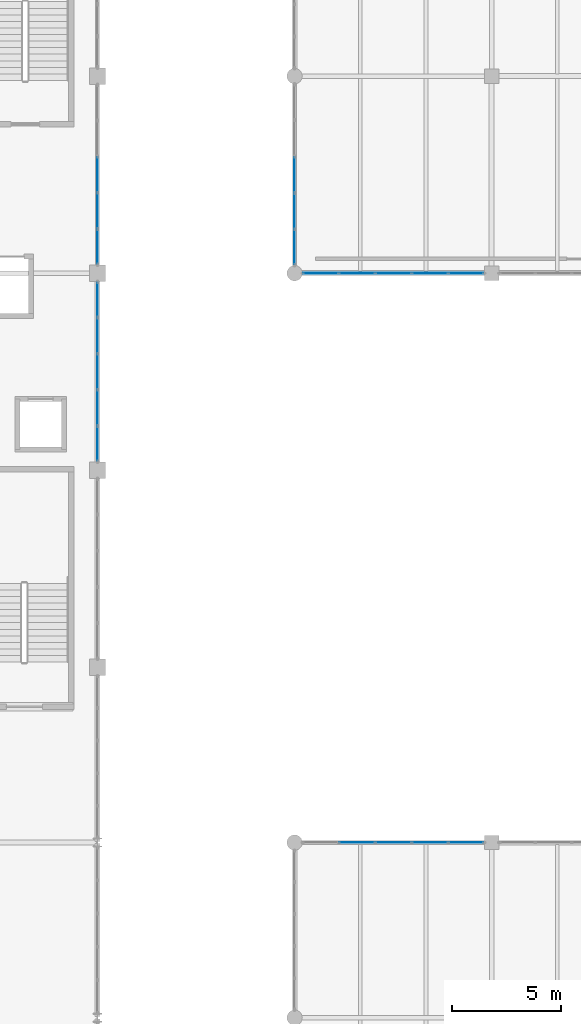
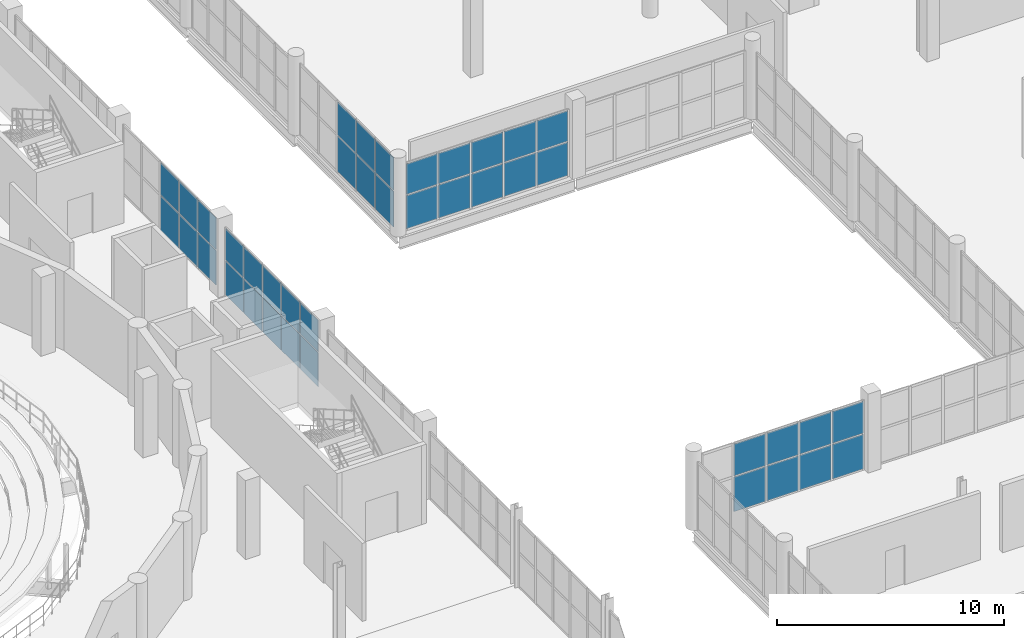
# One storey, part 54 of 85: 40 plates, 5 elements without a shape of their own.
"""IFC4 building model written with IfcOpenShell, lengths in metres."""

from ifc_helpers import new_model, si_unit, direction, frame, origin, origin_2d, place, context, subcontext, project, spatial, rectangle, extrude, material, layer, layer_set, type_object, element, aggregate, save


model = new_model("IFC4")

# Units and contexts
model_context = context("Model", 3, precision=1e-05, world=origin(), true_north=direction((0.0, 1.0)))
body_context = subcontext(model_context, "Body", "Model", "MODEL_VIEW")
ifc_project = project(units=[si_unit("LENGTHUNIT", "METRE"), si_unit("AREAUNIT", "SQUARE_METRE"), si_unit("VOLUMEUNIT", "CUBIC_METRE"), si_unit("PLANEANGLEUNIT", "RADIAN"), si_unit("MASSUNIT", "GRAM", prefix="KILO")], contexts=[model_context])

# Site, building, storey
site_placement = place(None, origin())
site = spatial("IfcSite", under=ifc_project, at=site_placement, CompositionType="ELEMENT")
building_placement = place(site_placement, origin())
building = spatial("IfcBuilding", under=site, at=building_placement, Name="Marnock Terrace Opera House", CompositionType="ELEMENT")
storey_placement = place(building_placement, frame((0.0, 0.0, 10.199951171875)))
storey = spatial("IfcBuildingStorey", under=building, at=storey_placement, Name="L02", CompositionType="ELEMENT", Elevation=10.199951171875)

# Curtain wall, plates
ifc_material_1 = material(Name="Anodised architectural bronze aluminium framing", Category="aluminium")
ifc_layer_1 = layer(ifc_material_1, 0.159912109375)
ifc_layer_set_1 = layer_set([ifc_layer_1], Name="Anodised architectural bronze aluminium framing")
curtain_wall_type_1 = type_object("IfcCurtainWallType", Name="CW-FOYER-90x42", PredefinedType="NOTDEFINED", material=ifc_layer_set_1)
curtain_wall_1_placement = place(storey_placement, origin())
curtain_wall_1 = element("IfcCurtainWall", 1, at=curtain_wall_1_placement, inside=storey, type_object=curtain_wall_type_1, Name="L02 glazed Beaux-Arts colonnade curtain wall CW-V1E-L02-07", PredefinedType="NOTDEFINED")
ifc_material_2 = material(Name="Double-glazed acoustic low-E laminated glass", Category="glass")
ifc_layer_2 = layer(ifc_material_2, 0.028076171875)
ifc_layer_set_2 = layer_set([ifc_layer_2], Name="Double-glazed acoustic low-E laminated glass")
plate_type_1 = type_object("IfcPlateType", Name="CWP-GLZ-28", PredefinedType="CURTAIN_PANEL", material=ifc_layer_set_2)
plate_1_placement = place(storey_placement, frame((109.0, 58.2119140625, 0.06005859375), z_axis=(0.0, 0.0, 1.0), x_axis=(0.0, 1.0, 0.0)))
plate_1 = element("IfcPlate", 2, at=plate_1_placement, type_object=plate_type_1, Name="CW-68 panel 1.1", PredefinedType="CURTAIN_PANEL", context=body_context, shape_type="SweptSolid", body=[
    extrude(rectangle(XDim=1.5615234375, YDim=0.028076171875, at=origin_2d()), origin(), (0.0, 0.0, 1.0), 1.82470703125),
])
plate_2_placement = place(storey_placement, frame((109.0, 58.2119140625, 1.94482421875), z_axis=(0.0, 0.0, 1.0), x_axis=(0.0, 1.0, 0.0)))
plate_2 = element("IfcPlate", 3, at=plate_2_placement, type_object=plate_type_1, Name="CW-68 panel 1.2", PredefinedType="CURTAIN_PANEL", context=body_context, shape_type="SweptSolid", body=[
    extrude(rectangle(XDim=1.5615234375, YDim=0.028076171875, at=origin_2d()), origin(), (0.0, 0.0, 1.0), 1.677490234375),
])
plate_3_placement = place(storey_placement, frame((109.0, 59.848388671875, 0.06005859375), z_axis=(0.0, 0.0, 1.0), x_axis=(0.0, 1.0, 0.0)))
plate_3 = element("IfcPlate", 4, at=plate_3_placement, type_object=plate_type_1, Name="CW-68 panel 2.1", PredefinedType="CURTAIN_PANEL", context=body_context, shape_type="SweptSolid", body=[
    extrude(rectangle(XDim=1.591552734375, YDim=0.028076171875, at=origin_2d()), origin(), (0.0, 0.0, 1.0), 1.82470703125),
])
plate_4_placement = place(storey_placement, frame((109.0, 59.848388671875, 1.94482421875), z_axis=(0.0, 0.0, 1.0), x_axis=(0.0, 1.0, 0.0)))
plate_4 = element("IfcPlate", 5, at=plate_4_placement, type_object=plate_type_1, Name="CW-68 panel 2.2", PredefinedType="CURTAIN_PANEL", context=body_context, shape_type="SweptSolid", body=[
    extrude(rectangle(XDim=1.591552734375, YDim=0.028076171875, at=origin_2d()), origin(), (0.0, 0.0, 1.0), 1.677490234375),
])
plate_5_placement = place(storey_placement, frame((109.0, 61.5, 0.06005859375), z_axis=(0.0, 0.0, 1.0), x_axis=(0.0, 1.0, 0.0)))
plate_5 = element("IfcPlate", 6, at=plate_5_placement, type_object=plate_type_1, Name="CW-68 panel 3.1", PredefinedType="CURTAIN_PANEL", context=body_context, shape_type="SweptSolid", body=[
    extrude(rectangle(XDim=1.591552734375, YDim=0.028076171875, at=origin_2d()), origin(), (0.0, 0.0, 1.0), 1.82470703125),
])
plate_6_placement = place(storey_placement, frame((109.0, 61.5, 1.94482421875), z_axis=(0.0, 0.0, 1.0), x_axis=(0.0, 1.0, 0.0)))
plate_6 = element("IfcPlate", 7, at=plate_6_placement, type_object=plate_type_1, Name="CW-68 panel 3.2", PredefinedType="CURTAIN_PANEL", context=body_context, shape_type="SweptSolid", body=[
    extrude(rectangle(XDim=1.591552734375, YDim=0.028076171875, at=origin_2d()), origin(), (0.0, 0.0, 1.0), 1.677490234375),
])
plate_7_placement = place(storey_placement, frame((109.0, 63.151611328125, 0.06005859375), z_axis=(0.0, 0.0, 1.0), x_axis=(0.0, 1.0, 0.0)))
plate_7 = element("IfcPlate", 8, at=plate_7_placement, type_object=plate_type_1, Name="CW-68 panel 4.1", PredefinedType="CURTAIN_PANEL", context=body_context, shape_type="SweptSolid", body=[
    extrude(rectangle(XDim=1.591552734375, YDim=0.028076171875, at=origin_2d()), origin(), (0.0, 0.0, 1.0), 1.82470703125),
])
plate_8_placement = place(storey_placement, frame((109.0, 63.151611328125, 1.94482421875), z_axis=(0.0, 0.0, 1.0), x_axis=(0.0, 1.0, 0.0)))
plate_8 = element("IfcPlate", 9, at=plate_8_placement, type_object=plate_type_1, Name="CW-68 panel 4.2", PredefinedType="CURTAIN_PANEL", context=body_context, shape_type="SweptSolid", body=[
    extrude(rectangle(XDim=1.591552734375, YDim=0.028076171875, at=origin_2d()), origin(), (0.0, 0.0, 1.0), 1.677490234375),
])
plate_9_placement = place(storey_placement, frame((109.0, 64.7880859375, 0.06005859375), z_axis=(0.0, 0.0, 1.0), x_axis=(0.0, 1.0, 0.0)))
plate_9 = element("IfcPlate", 10, at=plate_9_placement, type_object=plate_type_1, Name="CW-68 panel 5.1", PredefinedType="CURTAIN_PANEL", context=body_context, shape_type="SweptSolid", body=[
    extrude(rectangle(XDim=1.5615234375, YDim=0.028076171875, at=origin_2d()), origin(), (0.0, 0.0, 1.0), 1.82470703125),
])
plate_10_placement = place(storey_placement, frame((109.0, 64.7880859375, 1.94482421875), z_axis=(0.0, 0.0, 1.0), x_axis=(0.0, 1.0, 0.0)))
plate_10 = element("IfcPlate", 11, at=plate_10_placement, type_object=plate_type_1, Name="CW-68 panel 5.2", PredefinedType="CURTAIN_PANEL", context=body_context, shape_type="SweptSolid", body=[
    extrude(rectangle(XDim=1.5615234375, YDim=0.028076171875, at=origin_2d()), origin(), (0.0, 0.0, 1.0), 1.677490234375),
])
aggregate(curtain_wall_1, [plate_1, plate_2, plate_3, plate_4, plate_5, plate_6, plate_7, plate_8, plate_9, plate_10])

ifc_layer_3 = layer(ifc_material_1, 0.159912109375)
ifc_layer_set_3 = layer_set([ifc_layer_3], Name="Anodised architectural bronze aluminium framing")
curtain_wall_type_2 = type_object("IfcCurtainWallType", Name="CW-LOGGIA-86x42", PredefinedType="NOTDEFINED", material=ifc_layer_set_3)
curtain_wall_2_placement = place(storey_placement, origin())
curtain_wall_2 = element("IfcCurtainWall", 12, at=curtain_wall_2_placement, inside=storey, type_object=curtain_wall_type_2, Name="L02 glazed Beaux-Arts colonnade curtain wall CW-V5-L02-CS1", PredefinedType="NOTDEFINED")
plate_11_placement = place(storey_placement, frame((120.845947265625, 40.0, 0.06005859375), z_axis=(0.0, 0.0, 1.0), x_axis=(1.0, 0.0, 0.0)))
plate_11 = element("IfcPlate", 13, at=plate_11_placement, type_object=plate_type_1, Name="CW-66 panel 2.1", PredefinedType="CURTAIN_PANEL", context=body_context, shape_type="SweptSolid", body=[
    extrude(rectangle(XDim=1.606689453125, YDim=0.028076171875, at=origin_2d()), origin(), (0.0, 0.0, 1.0), 1.85986328125),
])
plate_12_placement = place(storey_placement, frame((120.845947265625, 40.0, 1.97998046875), z_axis=(0.0, 0.0, 1.0), x_axis=(1.0, 0.0, 0.0)))
plate_12 = element("IfcPlate", 14, at=plate_12_placement, type_object=plate_type_1, Name="CW-66 panel 2.2", PredefinedType="CURTAIN_PANEL", context=body_context, shape_type="SweptSolid", body=[
    extrude(rectangle(XDim=1.606689453125, YDim=0.028076171875, at=origin_2d()), origin(), (0.0, 0.0, 1.0), 1.709716796875),
])
plate_13_placement = place(storey_placement, frame((122.512451171875, 40.0, 0.06005859375), z_axis=(0.0, 0.0, 1.0), x_axis=(1.0, 0.0, 0.0)))
plate_13 = element("IfcPlate", 15, at=plate_13_placement, type_object=plate_type_1, Name="CW-66 panel 3.1", PredefinedType="CURTAIN_PANEL", context=body_context, shape_type="SweptSolid", body=[
    extrude(rectangle(XDim=1.606689453125, YDim=0.028076171875, at=origin_2d()), origin(), (0.0, 0.0, 1.0), 1.85986328125),
])
plate_14_placement = place(storey_placement, frame((122.512451171875, 40.0, 1.97998046875), z_axis=(0.0, 0.0, 1.0), x_axis=(1.0, 0.0, 0.0)))
plate_14 = element("IfcPlate", 16, at=plate_14_placement, type_object=plate_type_1, Name="CW-66 panel 3.2", PredefinedType="CURTAIN_PANEL", context=body_context, shape_type="SweptSolid", body=[
    extrude(rectangle(XDim=1.606689453125, YDim=0.028076171875, at=origin_2d()), origin(), (0.0, 0.0, 1.0), 1.709716796875),
])
plate_15_placement = place(storey_placement, frame((124.17919921875, 40.0, 0.06005859375), z_axis=(0.0, 0.0, 1.0), x_axis=(1.0, 0.0, 0.0)))
plate_15 = element("IfcPlate", 17, at=plate_15_placement, type_object=plate_type_1, Name="CW-66 panel 4.1", PredefinedType="CURTAIN_PANEL", context=body_context, shape_type="SweptSolid", body=[
    extrude(rectangle(XDim=1.606689453125, YDim=0.028076171875, at=origin_2d()), origin(), (0.0, 0.0, 1.0), 1.85986328125),
])
plate_16_placement = place(storey_placement, frame((124.17919921875, 40.0, 1.97998046875), z_axis=(0.0, 0.0, 1.0), x_axis=(1.0, 0.0, 0.0)))
plate_16 = element("IfcPlate", 18, at=plate_16_placement, type_object=plate_type_1, Name="CW-66 panel 4.2", PredefinedType="CURTAIN_PANEL", context=body_context, shape_type="SweptSolid", body=[
    extrude(rectangle(XDim=1.606689453125, YDim=0.028076171875, at=origin_2d()), origin(), (0.0, 0.0, 1.0), 1.709716796875),
])
plate_17_placement = place(storey_placement, frame((125.830810546875, 40.0, 0.06005859375), z_axis=(0.0, 0.0, 1.0), x_axis=(1.0, 0.0, 0.0)))
plate_17 = element("IfcPlate", 19, at=plate_17_placement, type_object=plate_type_1, Name="CW-66 panel 5.1", PredefinedType="CURTAIN_PANEL", context=body_context, shape_type="SweptSolid", body=[
    extrude(rectangle(XDim=1.57666015625, YDim=0.028076171875, at=origin_2d()), origin(), (0.0, 0.0, 1.0), 1.85986328125),
])
plate_18_placement = place(storey_placement, frame((125.830810546875, 40.0, 1.97998046875), z_axis=(0.0, 0.0, 1.0), x_axis=(1.0, 0.0, 0.0)))
plate_18 = element("IfcPlate", 20, at=plate_18_placement, type_object=plate_type_1, Name="CW-66 panel 5.2", PredefinedType="CURTAIN_PANEL", context=body_context, shape_type="SweptSolid", body=[
    extrude(rectangle(XDim=1.57666015625, YDim=0.028076171875, at=origin_2d()), origin(), (0.0, 0.0, 1.0), 1.709716796875),
])
aggregate(curtain_wall_2, [plate_11, plate_12, plate_13, plate_14, plate_15, plate_16, plate_17, plate_18])

curtain_wall_3_placement = place(storey_placement, origin())
curtain_wall_3 = element("IfcCurtainWall", 21, at=curtain_wall_3_placement, inside=storey, type_object=curtain_wall_type_2, Name="L02 glazed Beaux-Arts colonnade curtain wall CW-V5-L02-CN1", PredefinedType="NOTDEFINED")
plate_19_placement = place(storey_placement, frame((119.1943359375, 66.0, 0.06005859375), z_axis=(0.0, 0.0, 1.0), x_axis=(1.0, 0.0, 0.0)))
plate_19 = element("IfcPlate", 22, at=plate_19_placement, type_object=plate_type_1, Name="CW-66 panel 1.1", PredefinedType="CURTAIN_PANEL", context=body_context, shape_type="SweptSolid", body=[
    extrude(rectangle(XDim=1.57666015625, YDim=0.028076171875, at=origin_2d()), origin(), (0.0, 0.0, 1.0), 1.78369140625),
])
plate_20_placement = place(storey_placement, frame((119.1943359375, 66.0, 1.90380859375), z_axis=(0.0, 0.0, 1.0), x_axis=(1.0, 0.0, 0.0)))
plate_20 = element("IfcPlate", 23, at=plate_20_placement, type_object=plate_type_1, Name="CW-66 panel 1.2", PredefinedType="CURTAIN_PANEL", context=body_context, shape_type="SweptSolid", body=[
    extrude(rectangle(XDim=1.57666015625, YDim=0.028076171875, at=origin_2d()), origin(), (0.0, 0.0, 1.0), 1.639404296875),
])
plate_21_placement = place(storey_placement, frame((120.845947265625, 66.0, 0.06005859375), z_axis=(0.0, 0.0, 1.0), x_axis=(1.0, 0.0, 0.0)))
plate_21 = element("IfcPlate", 24, at=plate_21_placement, type_object=plate_type_1, Name="CW-66 panel 2.1", PredefinedType="CURTAIN_PANEL", context=body_context, shape_type="SweptSolid", body=[
    extrude(rectangle(XDim=1.606689453125, YDim=0.028076171875, at=origin_2d()), origin(), (0.0, 0.0, 1.0), 1.78369140625),
])
plate_22_placement = place(storey_placement, frame((120.845947265625, 66.0, 1.90380859375), z_axis=(0.0, 0.0, 1.0), x_axis=(1.0, 0.0, 0.0)))
plate_22 = element("IfcPlate", 25, at=plate_22_placement, type_object=plate_type_1, Name="CW-66 panel 2.2", PredefinedType="CURTAIN_PANEL", context=body_context, shape_type="SweptSolid", body=[
    extrude(rectangle(XDim=1.606689453125, YDim=0.028076171875, at=origin_2d()), origin(), (0.0, 0.0, 1.0), 1.639404296875),
])
plate_23_placement = place(storey_placement, frame((122.512451171875, 66.0, 0.06005859375), z_axis=(0.0, 0.0, 1.0), x_axis=(1.0, 0.0, 0.0)))
plate_23 = element("IfcPlate", 26, at=plate_23_placement, type_object=plate_type_1, Name="CW-66 panel 3.1", PredefinedType="CURTAIN_PANEL", context=body_context, shape_type="SweptSolid", body=[
    extrude(rectangle(XDim=1.606689453125, YDim=0.028076171875, at=origin_2d()), origin(), (0.0, 0.0, 1.0), 1.78369140625),
])
plate_24_placement = place(storey_placement, frame((122.512451171875, 66.0, 1.90380859375), z_axis=(0.0, 0.0, 1.0), x_axis=(1.0, 0.0, 0.0)))
plate_24 = element("IfcPlate", 27, at=plate_24_placement, type_object=plate_type_1, Name="CW-66 panel 3.2", PredefinedType="CURTAIN_PANEL", context=body_context, shape_type="SweptSolid", body=[
    extrude(rectangle(XDim=1.606689453125, YDim=0.028076171875, at=origin_2d()), origin(), (0.0, 0.0, 1.0), 1.639404296875),
])
plate_25_placement = place(storey_placement, frame((124.17919921875, 66.0, 0.06005859375), z_axis=(0.0, 0.0, 1.0), x_axis=(1.0, 0.0, 0.0)))
plate_25 = element("IfcPlate", 28, at=plate_25_placement, type_object=plate_type_1, Name="CW-66 panel 4.1", PredefinedType="CURTAIN_PANEL", context=body_context, shape_type="SweptSolid", body=[
    extrude(rectangle(XDim=1.606689453125, YDim=0.028076171875, at=origin_2d()), origin(), (0.0, 0.0, 1.0), 1.78369140625),
])
plate_26_placement = place(storey_placement, frame((124.17919921875, 66.0, 1.90380859375), z_axis=(0.0, 0.0, 1.0), x_axis=(1.0, 0.0, 0.0)))
plate_26 = element("IfcPlate", 29, at=plate_26_placement, type_object=plate_type_1, Name="CW-66 panel 4.2", PredefinedType="CURTAIN_PANEL", context=body_context, shape_type="SweptSolid", body=[
    extrude(rectangle(XDim=1.606689453125, YDim=0.028076171875, at=origin_2d()), origin(), (0.0, 0.0, 1.0), 1.639404296875),
])
plate_27_placement = place(storey_placement, frame((125.830810546875, 66.0, 0.06005859375), z_axis=(0.0, 0.0, 1.0), x_axis=(1.0, 0.0, 0.0)))
plate_27 = element("IfcPlate", 30, at=plate_27_placement, type_object=plate_type_1, Name="CW-66 panel 5.1", PredefinedType="CURTAIN_PANEL", context=body_context, shape_type="SweptSolid", body=[
    extrude(rectangle(XDim=1.57666015625, YDim=0.028076171875, at=origin_2d()), origin(), (0.0, 0.0, 1.0), 1.78369140625),
])
plate_28_placement = place(storey_placement, frame((125.830810546875, 66.0, 1.90380859375), z_axis=(0.0, 0.0, 1.0), x_axis=(1.0, 0.0, 0.0)))
plate_28 = element("IfcPlate", 31, at=plate_28_placement, type_object=plate_type_1, Name="CW-66 panel 5.2", PredefinedType="CURTAIN_PANEL", context=body_context, shape_type="SweptSolid", body=[
    extrude(rectangle(XDim=1.57666015625, YDim=0.028076171875, at=origin_2d()), origin(), (0.0, 0.0, 1.0), 1.639404296875),
])
aggregate(curtain_wall_3, [plate_19, plate_20, plate_21, plate_22, plate_23, plate_24, plate_25, plate_26, plate_27, plate_28])

curtain_wall_4_placement = place(storey_placement, origin())
curtain_wall_4 = element("IfcCurtainWall", 32, at=curtain_wall_4_placement, inside=storey, type_object=curtain_wall_type_2, Name="L02 glazed Beaux-Arts colonnade curtain wall CW-V5-L02-W5", PredefinedType="NOTDEFINED")
plate_29_placement = place(storey_placement, frame((118.0, 67.19189453125, 0.06005859375), z_axis=(0.0, 0.0, 1.0), x_axis=(0.0, 1.0, 0.0)))
plate_29 = element("IfcPlate", 33, at=plate_29_placement, type_object=plate_type_1, Name="CW-66 panel 1.1", PredefinedType="CURTAIN_PANEL", context=body_context, shape_type="SweptSolid", body=[
    extrude(rectangle(XDim=1.571533203125, YDim=0.028076171875, at=origin_2d()), origin(), (0.0, 0.0, 1.0), 1.914306640625),
])
plate_30_placement = place(storey_placement, frame((118.0, 67.19189453125, 2.0341796875), z_axis=(0.0, 0.0, 1.0), x_axis=(0.0, 1.0, 0.0)))
plate_30 = element("IfcPlate", 34, at=plate_30_placement, type_object=plate_type_1, Name="CW-66 panel 1.2", PredefinedType="CURTAIN_PANEL", context=body_context, shape_type="SweptSolid", body=[
    extrude(rectangle(XDim=1.571533203125, YDim=0.028076171875, at=origin_2d()), origin(), (0.0, 0.0, 1.0), 1.760009765625),
])
plate_31_placement = place(storey_placement, frame((118.0, 68.83837890625, 0.06005859375), z_axis=(0.0, 0.0, 1.0), x_axis=(0.0, 1.0, 0.0)))
plate_31 = element("IfcPlate", 35, at=plate_31_placement, type_object=plate_type_1, Name="CW-66 panel 2.1", PredefinedType="CURTAIN_PANEL", context=body_context, shape_type="SweptSolid", body=[
    extrude(rectangle(XDim=1.6015625, YDim=0.028076171875, at=origin_2d()), origin(), (0.0, 0.0, 1.0), 1.914306640625),
])
plate_32_placement = place(storey_placement, frame((118.0, 68.83837890625, 2.0341796875), z_axis=(0.0, 0.0, 1.0), x_axis=(0.0, 1.0, 0.0)))
plate_32 = element("IfcPlate", 36, at=plate_32_placement, type_object=plate_type_1, Name="CW-66 panel 2.2", PredefinedType="CURTAIN_PANEL", context=body_context, shape_type="SweptSolid", body=[
    extrude(rectangle(XDim=1.6015625, YDim=0.028076171875, at=origin_2d()), origin(), (0.0, 0.0, 1.0), 1.760009765625),
])
plate_33_placement = place(storey_placement, frame((118.0, 70.5, 0.06005859375), z_axis=(0.0, 0.0, 1.0), x_axis=(0.0, 1.0, 0.0)))
plate_33 = element("IfcPlate", 37, at=plate_33_placement, type_object=plate_type_1, Name="CW-66 panel 3.1", PredefinedType="CURTAIN_PANEL", context=body_context, shape_type="SweptSolid", body=[
    extrude(rectangle(XDim=1.6015625, YDim=0.028076171875, at=origin_2d()), origin(), (0.0, 0.0, 1.0), 1.914306640625),
])
plate_34_placement = place(storey_placement, frame((118.0, 70.5, 2.0341796875), z_axis=(0.0, 0.0, 1.0), x_axis=(0.0, 1.0, 0.0)))
plate_34 = element("IfcPlate", 38, at=plate_34_placement, type_object=plate_type_1, Name="CW-66 panel 3.2", PredefinedType="CURTAIN_PANEL", context=body_context, shape_type="SweptSolid", body=[
    extrude(rectangle(XDim=1.6015625, YDim=0.028076171875, at=origin_2d()), origin(), (0.0, 0.0, 1.0), 1.760009765625),
])
aggregate(curtain_wall_4, [plate_29, plate_30, plate_31, plate_32, plate_33, plate_34])

curtain_wall_5_placement = place(storey_placement, origin())
curtain_wall_5 = element("IfcCurtainWall", 39, at=curtain_wall_5_placement, inside=storey, type_object=curtain_wall_type_1, Name="L02 glazed Beaux-Arts colonnade curtain wall CW-V1E-L02-08", PredefinedType="NOTDEFINED")
ifc_layer_4 = layer(ifc_material_1, 0.035888671875)
ifc_layer_set_4 = layer_set([ifc_layer_4], Name="Anodised architectural bronze aluminium framing")
plate_type_2 = type_object("IfcPlateType", Name="CWP-SPAND-36", PredefinedType="CURTAIN_PANEL", material=ifc_layer_set_4)
plate_35_placement = place(storey_placement, frame((109.0, 67.2119140625, 0.06005859375), z_axis=(0.0, 0.0, 1.0), x_axis=(0.0, 1.0, 0.0)))
plate_35 = element("IfcPlate", 40, at=plate_35_placement, type_object=plate_type_2, Name="CW-68 panel 1.1", PredefinedType="CURTAIN_PANEL", context=body_context, shape_type="SweptSolid", body=[
    extrude(rectangle(XDim=1.5615234375, YDim=0.028076171875, at=origin_2d()), origin(), (0.0, 0.0, 1.0), 1.861328125),
])
plate_36_placement = place(storey_placement, frame((109.0, 67.2119140625, 1.9814453125), z_axis=(0.0, 0.0, 1.0), x_axis=(0.0, 1.0, 0.0)))
plate_36 = element("IfcPlate", 41, at=plate_36_placement, type_object=plate_type_2, Name="CW-68 panel 1.2", PredefinedType="CURTAIN_PANEL", context=body_context, shape_type="SweptSolid", body=[
    extrude(rectangle(XDim=1.5615234375, YDim=0.028076171875, at=origin_2d()), origin(), (0.0, 0.0, 1.0), 1.711181640625),
])
plate_37_placement = place(storey_placement, frame((109.0, 68.848388671875, 0.06005859375), z_axis=(0.0, 0.0, 1.0), x_axis=(0.0, 1.0, 0.0)))
plate_37 = element("IfcPlate", 42, at=plate_37_placement, type_object=plate_type_2, Name="CW-68 panel 2.1", PredefinedType="CURTAIN_PANEL", context=body_context, shape_type="SweptSolid", body=[
    extrude(rectangle(XDim=1.591552734375, YDim=0.028076171875, at=origin_2d()), origin(), (0.0, 0.0, 1.0), 1.861328125),
])
plate_38_placement = place(storey_placement, frame((109.0, 68.848388671875, 1.9814453125), z_axis=(0.0, 0.0, 1.0), x_axis=(0.0, 1.0, 0.0)))
plate_38 = element("IfcPlate", 43, at=plate_38_placement, type_object=plate_type_2, Name="CW-68 panel 2.2", PredefinedType="CURTAIN_PANEL", context=body_context, shape_type="SweptSolid", body=[
    extrude(rectangle(XDim=1.591552734375, YDim=0.028076171875, at=origin_2d()), origin(), (0.0, 0.0, 1.0), 1.711181640625),
])
plate_39_placement = place(storey_placement, frame((109.0, 70.5, 0.06005859375), z_axis=(0.0, 0.0, 1.0), x_axis=(0.0, 1.0, 0.0)))
plate_39 = element("IfcPlate", 44, at=plate_39_placement, type_object=plate_type_2, Name="CW-68 panel 3.1", PredefinedType="CURTAIN_PANEL", context=body_context, shape_type="SweptSolid", body=[
    extrude(rectangle(XDim=1.591552734375, YDim=0.028076171875, at=origin_2d()), origin(), (0.0, 0.0, 1.0), 1.861328125),
])
plate_40_placement = place(storey_placement, frame((109.0, 70.5, 1.9814453125), z_axis=(0.0, 0.0, 1.0), x_axis=(0.0, 1.0, 0.0)))
plate_40 = element("IfcPlate", 45, at=plate_40_placement, type_object=plate_type_2, Name="CW-68 panel 3.2", PredefinedType="CURTAIN_PANEL", context=body_context, shape_type="SweptSolid", body=[
    extrude(rectangle(XDim=1.591552734375, YDim=0.028076171875, at=origin_2d()), origin(), (0.0, 0.0, 1.0), 1.711181640625),
])
aggregate(curtain_wall_5, [plate_35, plate_36, plate_37, plate_38, plate_39, plate_40])

save(model, "model.ifc")
